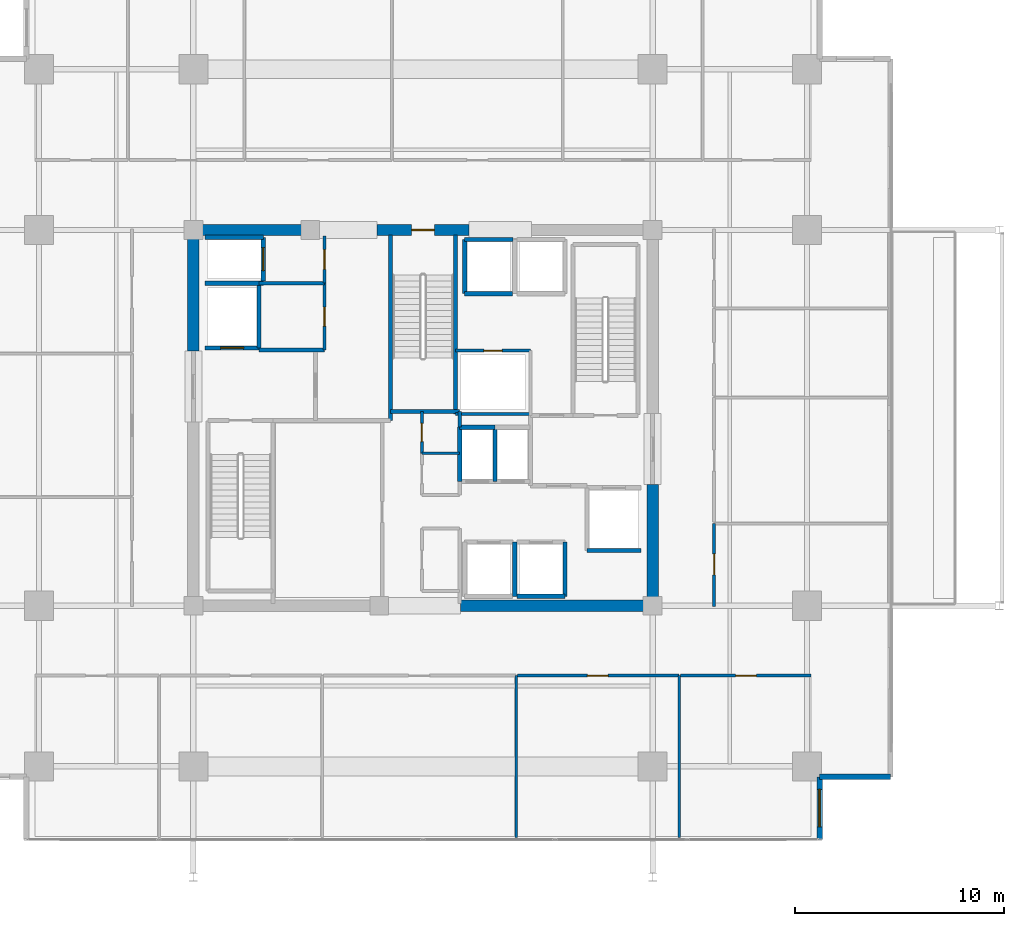
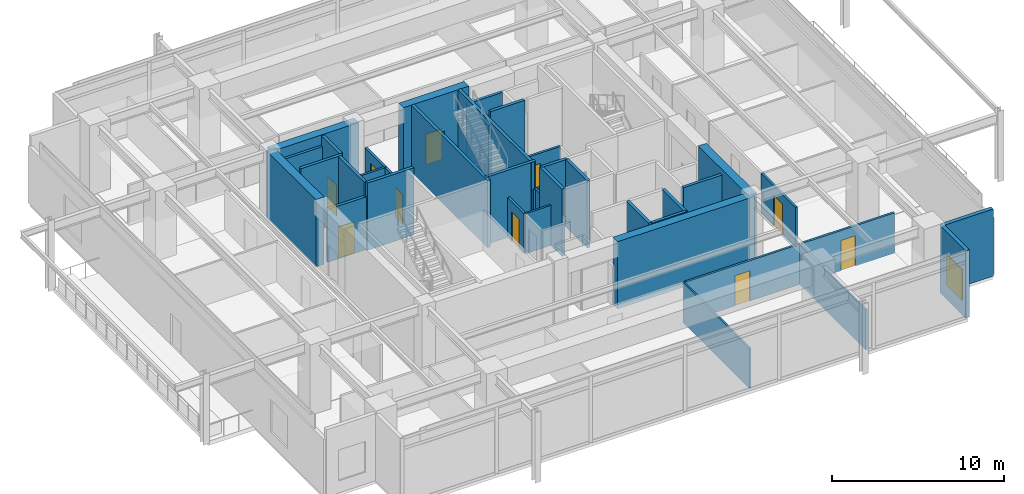
# One storey, part 13 of 19: 39 walls, 10 doors, 1 window, 11 openings.
"""IFC4 building model written with IfcOpenShell, lengths in metres."""

from ifc_helpers import new_model, si_unit, direction, frame, frame_2d, origin, place, context, subcontext, project, spatial, rectangle, extrude, material, layer, layer_set, type_object, element, fill, save


model = new_model("IFC4")

# Units and contexts
model_context = context("Model", 3, precision=1e-05, world=origin(), true_north=direction((0.0, 1.0)))
body_context = subcontext(model_context, "Body", "Model", "MODEL_VIEW")
ifc_project = project(units=[si_unit("LENGTHUNIT", "METRE"), si_unit("AREAUNIT", "SQUARE_METRE"), si_unit("VOLUMEUNIT", "CUBIC_METRE"), si_unit("PLANEANGLEUNIT", "RADIAN"), si_unit("MASSUNIT", "GRAM", prefix="KILO")], contexts=[model_context])

# Site, building, storey
site_placement = place(None, origin())
site = spatial("IfcSite", under=ifc_project, at=site_placement, CompositionType="ELEMENT")
building_placement = place(site_placement, origin())
building = spatial("IfcBuilding", under=site, at=building_placement, Name="Kovane Verandah Tower", CompositionType="ELEMENT")
storey_placement = place(building_placement, frame((0.0, 0.0, 200.199951171875)))
storey = spatial("IfcBuildingStorey", under=building, at=storey_placement, Name="L46", CompositionType="ELEMENT", Elevation=200.199951171875)

# Wall
ifc_material_1 = material(Name="Fire-Rated Gypsum Stud Partition", Category="gypsum")
ifc_layer_1 = layer(ifc_material_1, 0.14990234375)
ifc_layer_set_1 = layer_set([ifc_layer_1], Name="Fire-Rated Gypsum Stud Partition")
wall_type_1 = type_object("IfcWallType", Name="WL-COR-150", PredefinedType="PARTITIONING", material=ifc_layer_set_1)
wall_1_placement = place(storey_placement, frame((41.760009765625, 27.050048828125, 0.0), z_axis=(0.0, 0.0, 1.0), x_axis=(0.0, 1.0, 0.0)))
element("IfcWall", 1, at=wall_1_placement, inside=storey, type_object=wall_type_1, Name="L46 Central Core Strip Upper East Wall", PredefinedType="PARTITIONING", context=body_context, shape_type="SweptSolid", body=[
    extrude(rectangle(XDim=0.75, YDim=0.14990234375, at=frame_2d((0.375, 0.0))), origin(), (0.0, 0.0, 1.0), 2.85009765625),
])

# Wall, opening, door
wall_2_placement = place(storey_placement, frame((39.949951171875, 25.800048828125, 0.0), z_axis=(0.0, 0.0, 1.0), x_axis=(0.0, 1.0, 0.0)))
wall_2 = element("IfcWall", 2, at=wall_2_placement, inside=storey, type_object=wall_type_1, Name="L46 Telecom and BMS Riser Room Partition", PredefinedType="PARTITIONING", context=body_context, shape_type="SweptSolid", body=[
    extrude(rectangle(XDim=2.0, YDim=0.14990234375, at=frame_2d((1.0, 0.0))), origin(), (0.0, 0.0, 1.0), 2.85009765625),
])
opening_1_placement = place(wall_2_placement, frame((0.56005859375, 0.0, 0.0)))
opening_1 = element("IfcOpeningElement", 3, at=opening_1_placement, cuts=wall_2, Name="Opening DR-L46-029", PredefinedType="OPENING", context=body_context, shape_type="SweptSolid", body=[
    extrude(rectangle(XDim=0.8798828125, YDim=2.10009765625, at=frame_2d((0.43994140625, 1.050048828125))), frame((0.0, 0.074951171875, 0.0), z_axis=(0.0, -1.0, 0.0), x_axis=(1.0, 0.0, 0.0)), (0.0, 0.0, 1.0), 0.14990234375),
])
ifc_material_2 = material(Name="Fire-Rated Steel Riser Access Door", Category="steel")
door_type_1 = type_object("IfcDoorType", Name="DR-RISER-880", OperationType="SINGLE_SWING_LEFT", PredefinedType="DOOR", material=ifc_material_2)
door_1_placement = place(opening_1_placement, origin())
door_1 = element("IfcDoor", 4, at=door_1_placement, inside=storey, type_object=door_type_1, Name="L46 Telecom and BMS Riser Room Door", OperationType="SINGLE_SWING_LEFT", OverallHeight=2.10009765625, OverallWidth=0.8798828125, PredefinedType="DOOR", context=body_context, shape_type="SweptSolid", body=[
    extrude(rectangle(XDim=0.8798828125, YDim=2.10009765625, at=frame_2d((0.43994140625, 1.050048828125))), frame((0.0, 0.02490234375, 0.0), z_axis=(0.0, -1.0, 0.0), x_axis=(1.0, 0.0, 0.0)), (0.0, 0.0, 1.0), 0.050048828125),
])
fill(opening_1, door_1)

# Wall
wall_3_placement = place(storey_placement, frame((32.14990234375, 33.949951171875, 0.0), z_axis=(0.0, 0.0, 1.0), x_axis=(1.0, 0.0, 0.0)))
element("IfcWall", 5, at=wall_3_placement, inside=storey, type_object=wall_type_1, Name="L46 Goods Lift Lobby South Wall", PredefinedType="PARTITIONING", context=body_context, shape_type="SweptSolid", body=[
    extrude(rectangle(XDim=3.130126953125, YDim=0.14990234375, at=frame_2d((1.56494140625, 0.0))), origin(), (0.0, 0.0, 1.0), 2.85009765625),
])

# Wall, opening, door
wall_4_placement = place(storey_placement, frame((35.280029296875, 33.949951171875, 0.0), z_axis=(0.0, 0.0, 1.0), x_axis=(0.0, 1.0, 0.0)))
wall_4 = element("IfcWall", 6, at=wall_4_placement, inside=storey, type_object=wall_type_1, Name="L46 Goods Lift Lobby East Fire Partition", PredefinedType="PARTITIONING", context=body_context, shape_type="SweptSolid", body=[
    extrude(rectangle(XDim=2.27001953125, YDim=0.14990234375, at=frame_2d((1.135009765625, 0.0))), origin(), (0.0, 0.0, 1.0), 2.85009765625),
])
opening_2_placement = place(wall_4_placement, frame((0.659912109375, 0.0, 0.0)))
opening_2 = element("IfcOpeningElement", 7, at=opening_2_placement, cuts=wall_4, Name="Opening DR-L46-008", PredefinedType="OPENING", context=body_context, shape_type="SweptSolid", body=[
    extrude(rectangle(XDim=0.949951171875, YDim=2.14990234375, at=frame_2d((0.47509765625, 1.074951171875))), frame((0.0, 0.074951171875, 0.0), z_axis=(0.0, -1.0, 0.0), x_axis=(1.0, 0.0, 0.0)), (0.0, 0.0, 1.0), 0.14990234375),
])
ifc_material_3 = material(Name="Fire-Rated Steel Refuge and Lobby Door", Category="steel")
door_type_2 = type_object("IfcDoorType", Name="DR-FIRE-950", OperationType="SINGLE_SWING_LEFT", PredefinedType="DOOR", material=ifc_material_3)
door_2_placement = place(opening_2_placement, origin())
door_2 = element("IfcDoor", 8, at=door_2_placement, inside=storey, type_object=door_type_2, Name="L46 Goods Lift Lobby Fire Door", OperationType="SINGLE_SWING_RIGHT", OverallHeight=2.14990234375, OverallWidth=0.949951171875, PredefinedType="DOOR", context=body_context, shape_type="SweptSolid", body=[
    extrude(rectangle(XDim=0.949951171875, YDim=2.14990234375, at=frame_2d((0.47509765625, 1.074951171875))), frame((0.0, 0.02490234375, 0.0), z_axis=(0.0, -1.0, 0.0), x_axis=(1.0, 0.0, 0.0)), (0.0, 0.0, 1.0), 0.050048828125),
])
fill(opening_2, door_2)

wall_5_placement = place(storey_placement, frame((35.280029296875, 30.75, 0.0), z_axis=(0.0, 0.0, 1.0), x_axis=(0.0, 1.0, 0.0)))
wall_5 = element("IfcWall", 9, at=wall_5_placement, inside=storey, type_object=wall_type_1, Name="L46 Accessible Unisex Toilet Partition", PredefinedType="PARTITIONING", context=body_context, shape_type="SweptSolid", body=[
    extrude(rectangle(XDim=3.199951171875, YDim=0.14990234375, at=frame_2d((1.60009765625, 0.0))), origin(), (0.0, 0.0, 1.0), 2.85009765625),
])
opening_3_placement = place(wall_5_placement, frame((1.14990234375, 0.0, 0.0)))
opening_3 = element("IfcOpeningElement", 10, at=opening_3_placement, cuts=wall_5, Name="Opening DR-L46-030", PredefinedType="OPENING", context=body_context, shape_type="SweptSolid", body=[
    extrude(rectangle(XDim=0.89990234375, YDim=2.10009765625, at=frame_2d((0.449951171875, 1.050048828125))), frame((0.0, 0.074951171875, 0.0), z_axis=(0.0, -1.0, 0.0), x_axis=(1.0, 0.0, 0.0)), (0.0, 0.0, 1.0), 0.14990234375),
])
ifc_material_4 = material(Name="Moisture-Resistant Laminate Washroom Door", Category="wood")
door_type_3 = type_object("IfcDoorType", Name="DR-WC-900", OperationType="SINGLE_SWING_LEFT", PredefinedType="DOOR", material=ifc_material_4)
door_3_placement = place(opening_3_placement, origin())
door_3 = element("IfcDoor", 11, at=door_3_placement, inside=storey, type_object=door_type_3, Name="L46 Accessible Unisex Toilet Door", OperationType="SINGLE_SWING_LEFT", OverallHeight=2.10009765625, OverallWidth=0.89990234375, PredefinedType="DOOR", context=body_context, shape_type="SweptSolid", body=[
    extrude(rectangle(XDim=0.89990234375, YDim=2.10009765625, at=frame_2d((0.449951171875, 1.050048828125))), frame((0.0, 0.02490234375, 0.0), z_axis=(0.0, -1.0, 0.0), x_axis=(1.0, 0.0, 0.0)), (0.0, 0.0, 1.0), 0.050048828125),
])
fill(opening_3, door_3)

# Wall
wall_6_placement = place(storey_placement, frame((41.56005859375, 27.679931640625, 0.0), z_axis=(0.0, 0.0, 1.0), x_axis=(1.0, 0.0, 0.0)))
element("IfcWall", 12, at=wall_6_placement, inside=storey, type_object=wall_type_1, Name="L46 East Core Service Riser South Wall", PredefinedType="PARTITIONING", context=body_context, shape_type="SweptSolid", body=[
    extrude(rectangle(XDim=3.58984375, YDim=0.14990234375, at=frame_2d((1.794921875, 0.0))), origin(), (0.0, 0.0, 1.0), 2.85009765625),
])

# Wall, opening, door
wall_7_placement = place(storey_placement, frame((41.56005859375, 30.719970703125, 0.0), z_axis=(0.0, 0.0, 1.0), x_axis=(1.0, 0.0, 0.0)))
wall_7 = element("IfcWall", 13, at=wall_7_placement, inside=storey, type_object=wall_type_1, Name="L46 Combined Chilled Water and Smoke Duct Room Partition", PredefinedType="PARTITIONING", context=body_context, shape_type="SweptSolid", body=[
    extrude(rectangle(XDim=3.58984375, YDim=0.14990234375, at=frame_2d((1.794921875, 0.0))), origin(), (0.0, 0.0, 1.0), 2.85009765625),
])
opening_4_placement = place(wall_7_placement, frame((1.35498046875, 0.0, 0.0)))
opening_4 = element("IfcOpeningElement", 14, at=opening_4_placement, cuts=wall_7, Name="Opening DR-L46-017", PredefinedType="OPENING", context=body_context, shape_type="SweptSolid", body=[
    extrude(rectangle(XDim=0.8798828125, YDim=2.10009765625, at=frame_2d((0.43994140625, 1.050048828125))), frame((0.0, 0.074951171875, 0.0), z_axis=(0.0, -1.0, 0.0), x_axis=(1.0, 0.0, 0.0)), (0.0, 0.0, 1.0), 0.14990234375),
])
door_4_placement = place(opening_4_placement, origin())
door_4 = element("IfcDoor", 15, at=door_4_placement, inside=storey, type_object=door_type_1, Name="L46 Combined Chilled Water and Smoke Duct Room Door", OperationType="SINGLE_SWING_LEFT", OverallHeight=2.10009765625, OverallWidth=0.8798828125, PredefinedType="DOOR", context=body_context, shape_type="SweptSolid", body=[
    extrude(rectangle(XDim=0.8798828125, YDim=2.10009765625, at=frame_2d((0.43994140625, 1.050048828125))), frame((0.0, 0.02490234375, 0.0), z_axis=(0.0, -1.0, 0.0), x_axis=(1.0, 0.0, 0.0)), (0.0, 0.0, 1.0), 0.050048828125),
])
fill(opening_4, door_4)

wall_8_placement = place(storey_placement, frame((44.533935546875, 15.14990234375, 0.0), z_axis=(0.0, 0.0, 1.0), x_axis=(1.0, 0.0, 0.0)))
wall_8 = element("IfcWall", 16, at=wall_8_placement, inside=storey, type_object=wall_type_1, Name="L46 Collaboration Hub S4 Corridor Partition", PredefinedType="PARTITIONING", context=body_context, shape_type="SweptSolid", body=[
    extrude(rectangle(XDim=7.741943359375, YDim=0.14990234375, at=frame_2d((3.87109375, 0.0))), origin(), (0.0, 0.0, 1.0), 2.85009765625),
])
opening_5_placement = place(wall_8_placement, frame((3.3359375, 0.0, 0.0)))
opening_5 = element("IfcOpeningElement", 17, at=opening_5_placement, cuts=wall_8, Name="Opening DR-L46-027", PredefinedType="OPENING", context=body_context, shape_type="SweptSolid", body=[
    extrude(rectangle(XDim=1.0, YDim=2.14990234375, at=frame_2d((0.5, 1.074951171875))), frame((0.0, 0.074951171875, 0.0), z_axis=(0.0, -1.0, 0.0), x_axis=(1.0, 0.0, 0.0)), (0.0, 0.0, 1.0), 0.14990234375),
])
ifc_material_5 = material(Name="FSC Spotted-Gum Timber Fire-Rated Office Door", Category="wood")
door_type_4 = type_object("IfcDoorType", Name="DR-OFF-1000", OperationType="SINGLE_SWING_LEFT", PredefinedType="DOOR", material=ifc_material_5)
door_5_placement = place(opening_5_placement, origin())
door_5 = element("IfcDoor", 18, at=door_5_placement, inside=storey, type_object=door_type_4, Name="L46 Collaboration Hub S4 Entrance Door", OperationType="SINGLE_SWING_LEFT", OverallHeight=2.14990234375, OverallWidth=1.0, PredefinedType="DOOR", context=body_context, shape_type="SweptSolid", body=[
    extrude(rectangle(XDim=1.0, YDim=2.14990234375, at=frame_2d((0.5, 1.074951171875))), frame((0.0, 0.02490234375, 0.0), z_axis=(0.0, -1.0, 0.0), x_axis=(1.0, 0.0, 0.0)), (0.0, 0.0, 1.0), 0.050048828125),
])
fill(opening_5, door_5)

wall_9_placement = place(storey_placement, frame((52.345947265625, 15.14990234375, 0.0), z_axis=(0.0, 0.0, 1.0), x_axis=(1.0, 0.0, 0.0)))
wall_9 = element("IfcWall", 19, at=wall_9_placement, inside=storey, type_object=wall_type_1, Name="L46 Document and Print Room S5 Corridor Partition", PredefinedType="PARTITIONING", context=body_context, shape_type="SweptSolid", body=[
    extrude(rectangle(XDim=6.254150390625, YDim=0.14990234375, at=frame_2d((3.126953125, 0.0))), origin(), (0.0, 0.0, 1.0), 2.85009765625),
])
opening_6_placement = place(wall_9_placement, frame((2.626953125, 0.0, 0.0)))
opening_6 = element("IfcOpeningElement", 20, at=opening_6_placement, cuts=wall_9, Name="Opening DR-L46-028", PredefinedType="OPENING", context=body_context, shape_type="SweptSolid", body=[
    extrude(rectangle(XDim=1.0, YDim=2.14990234375, at=frame_2d((0.5, 1.074951171875))), frame((0.0, 0.074951171875, 0.0), z_axis=(0.0, -1.0, 0.0), x_axis=(1.0, 0.0, 0.0)), (0.0, 0.0, 1.0), 0.14990234375),
])
door_6_placement = place(opening_6_placement, origin())
door_6 = element("IfcDoor", 21, at=door_6_placement, inside=storey, type_object=door_type_4, Name="L46 Document and Print Room S5 Entrance Door", OperationType="SINGLE_SWING_RIGHT", OverallHeight=2.14990234375, OverallWidth=1.0, PredefinedType="DOOR", context=body_context, shape_type="SweptSolid", body=[
    extrude(rectangle(XDim=1.0, YDim=2.14990234375, at=frame_2d((0.5, 1.074951171875))), frame((0.0, 0.02490234375, 0.0), z_axis=(0.0, -1.0, 0.0), x_axis=(1.0, 0.0, 0.0)), (0.0, 0.0, 1.0), 0.050048828125),
])
fill(opening_6, door_6)

wall_10_placement = place(storey_placement, frame((53.949951171875, 18.449951171875, 0.0), z_axis=(0.0, 0.0, 1.0), x_axis=(0.0, 1.0, 0.0)))
wall_10 = element("IfcWall", 22, at=wall_10_placement, inside=storey, type_object=wall_type_1, Name="L46 Meeting Room E1 Corridor Partition", PredefinedType="PARTITIONING", context=body_context, shape_type="SweptSolid", body=[
    extrude(rectangle(XDim=3.98193359375, YDim=0.14990234375, at=frame_2d((1.990966796875, 0.0))), origin(), (0.0, 0.0, 1.0), 2.85009765625),
])
opening_7_placement = place(wall_10_placement, frame((1.531005859375, 0.0, 0.0)))
opening_7 = element("IfcOpeningElement", 23, at=opening_7_placement, cuts=wall_10, Name="Opening DR-L46-012", PredefinedType="OPENING", context=body_context, shape_type="SweptSolid", body=[
    extrude(rectangle(XDim=1.0, YDim=2.14990234375, at=frame_2d((0.5, 1.074951171875))), frame((0.0, 0.074951171875, 0.0), z_axis=(0.0, -1.0, 0.0), x_axis=(1.0, 0.0, 0.0)), (0.0, 0.0, 1.0), 0.14990234375),
])
door_7_placement = place(opening_7_placement, origin())
door_7 = element("IfcDoor", 24, at=door_7_placement, inside=storey, type_object=door_type_4, Name="L46 Meeting Room E1 Entrance Door", OperationType="SINGLE_SWING_RIGHT", OverallHeight=2.14990234375, OverallWidth=1.0, PredefinedType="DOOR", context=body_context, shape_type="SweptSolid", body=[
    extrude(rectangle(XDim=1.0, YDim=2.14990234375, at=frame_2d((0.5, 1.074951171875))), frame((0.0, 0.02490234375, 0.0), z_axis=(0.0, -1.0, 0.0), x_axis=(1.0, 0.0, 0.0)), (0.0, 0.0, 1.0), 0.050048828125),
])
fill(opening_7, door_7)

# Walls
ifc_material_6 = material(Name="Concrete C60/75", Category="concrete")
ifc_layer_2 = layer(ifc_material_6, 0.550048828125)
ifc_layer_set_2 = layer_set([ifc_layer_2], Name="Concrete C60/75")
wall_type_2 = type_object("IfcWallType", Name="WL-CORE-550", PredefinedType="SHEAR", material=ifc_layer_set_2)
wall_11_placement = place(storey_placement, frame((41.800048828125, 18.5, 0.0), z_axis=(0.0, 0.0, 1.0), x_axis=(1.0, 0.0, 0.0)))
element("IfcWall", 25, at=wall_11_placement, inside=storey, type_object=wall_type_2, Name="L46 Core Shear Wall CS-2", PredefinedType="SHEAR", context=body_context, shape_type="SweptSolid", body=[
    extrude(rectangle(XDim=9.199951171875, YDim=0.550048828125, at=frame_2d((4.60009765625, 0.0))), origin(), (0.0, 0.0, 1.0), 4.775146484375),
])
wall_12_placement = place(storey_placement, frame((29.0, 36.5, 0.0), z_axis=(0.0, 0.0, 1.0), x_axis=(1.0, 0.0, 0.0)))
element("IfcWall", 26, at=wall_12_placement, inside=storey, type_object=wall_type_2, Name="L46 Core Shear Wall CN-1", PredefinedType="SHEAR", context=body_context, shape_type="SweptSolid", body=[
    extrude(rectangle(XDim=5.800048828125, YDim=0.550048828125, at=frame_2d((2.89990234375, 0.0))), origin(), (0.0, 0.0, 1.0), 4.775146484375),
])

# Wall, opening, door
wall_13_placement = place(storey_placement, frame((37.800048828125, 36.5, 0.0), z_axis=(0.0, 0.0, 1.0), x_axis=(1.0, 0.0, 0.0)))
wall_13 = element("IfcWall", 27, at=wall_13_placement, inside=storey, type_object=wall_type_2, Name="L46 Core Shear Wall CN-2", PredefinedType="SHEAR", context=body_context, shape_type="SweptSolid", body=[
    extrude(rectangle(XDim=4.39990234375, YDim=0.550048828125, at=frame_2d((2.199951171875, 0.0))), origin(), (0.0, 0.0, 1.0), 4.775146484375),
])
opening_8_placement = place(wall_13_placement, frame((1.64990234375, 0.0, 0.0)))
opening_8 = element("IfcOpeningElement", 28, at=opening_8_placement, cuts=wall_13, Name="Opening DR-L46-011", PredefinedType="OPENING", context=body_context, shape_type="SweptSolid", body=[
    extrude(rectangle(XDim=1.10009765625, YDim=2.14990234375, at=frame_2d((0.550048828125, 1.074951171875))), frame((0.0, 0.27490234375, 0.0), z_axis=(0.0, -1.0, 0.0), x_axis=(1.0, 0.0, 0.0)), (0.0, 0.0, 1.0), 0.550048828125),
])
ifc_material_7 = material(Name="Fire-Rated Steel Exit Door", Category="steel")
door_type_5 = type_object("IfcDoorType", Name="DR-STAIR-1100", OperationType="SINGLE_SWING_LEFT", PredefinedType="DOOR", material=ifc_material_7)
door_8_placement = place(opening_8_placement, origin())
door_8 = element("IfcDoor", 29, at=door_8_placement, inside=storey, type_object=door_type_5, Name="L46 ST-03 Fire Exit Stair Door", OperationType="SINGLE_SWING_RIGHT", OverallHeight=2.14990234375, OverallWidth=1.10009765625, PredefinedType="DOOR", context=body_context, shape_type="SweptSolid", body=[
    extrude(rectangle(XDim=1.10009765625, YDim=2.14990234375, at=frame_2d((0.550048828125, 1.074951171875))), frame((0.0, 0.02490234375, 0.0), z_axis=(0.0, -1.0, 0.0), x_axis=(1.0, 0.0, 0.0)), (0.0, 0.0, 1.0), 0.050048828125),
])
fill(opening_8, door_8)

# Walls
for number, where, z_axis, x_axis, name in (
    (30, (29.0, 30.699951171875, 0.0), (0.0, 0.0, 1.0), (0.0, 1.0, 0.0), "L46 Core Shear Wall CW-2"),
    (31, (51.0, 18.5, 0.0), (0.0, 0.0, 1.0), (0.0, 1.0, 0.0), "L46 Core Shear Wall CE-1"),
):
    element("IfcWall", number, at=place(storey_placement, frame(where, z_axis=z_axis, x_axis=x_axis)), inside=storey, type_object=wall_type_2, Name=name, PredefinedType="SHEAR", context=body_context, shape_type="SweptSolid", body=[
        extrude(rectangle(XDim=5.800048828125, YDim=0.550048828125, at=frame_2d((2.89990234375, 0.0))), origin(), (0.0, 0.0, 1.0), 4.775146484375),
    ])
ifc_material_8 = material(Name="Concrete C45/55 Fire Wall", Category="concrete")
ifc_layer_3 = layer(ifc_material_8, 0.199951171875)
ifc_layer_set_3 = layer_set([ifc_layer_3], Name="Concrete C45/55 Fire Wall")
wall_type_3 = type_object("IfcWallType", Name="WL-FFL-200", PredefinedType="PARTITIONING", material=ifc_layer_set_3)
wall_14_placement = place(storey_placement, frame((32.14990234375, 30.75, 0.0), z_axis=(0.0, 0.0, 1.0), x_axis=(1.0, 0.0, 0.0)))
element("IfcWall", 32, at=wall_14_placement, inside=storey, type_object=wall_type_3, Name="L46 West Firefighting Lobby North Fire Wall", PredefinedType="PARTITIONING", context=body_context, shape_type="SweptSolid", body=[
    extrude(rectangle(XDim=3.130126953125, YDim=0.199951171875, at=frame_2d((1.56494140625, 0.0))), origin(), (0.0, 0.0, 1.0), 4.775146484375),
])

# Wall, opening, door
ifc_material_9 = material(Name="Concrete C45/55 Lift Shaft Wall", Category="concrete")
ifc_layer_4 = layer(ifc_material_9, 0.199951171875)
ifc_layer_set_4 = layer_set([ifc_layer_4], Name="Concrete C45/55 Lift Shaft Wall")
wall_type_4 = type_object("IfcWallType", Name="WL-LIFT-200", PredefinedType="SOLIDWALL", material=ifc_layer_set_4)
wall_15_placement = place(storey_placement, frame((29.550048828125, 30.85009765625, 0.0), z_axis=(0.0, 0.0, 1.0), x_axis=(1.0, 0.0, 0.0)))
wall_15 = element("IfcWall", 33, at=wall_15_placement, inside=storey, type_object=wall_type_4, Name="L46 Lift FL-01 S Shaft Wall", PredefinedType="SOLIDWALL", context=body_context, shape_type="SweptSolid", body=[
    extrude(rectangle(XDim=2.599853515625, YDim=0.199951171875, at=frame_2d((1.2998046875, 0.0))), origin(), (0.0, 0.0, 1.0), 3.755126953125),
])
opening_9_placement = place(wall_15_placement, frame((0.75, 0.0, 0.0)))
opening_9 = element("IfcOpeningElement", 34, at=opening_9_placement, cuts=wall_15, Name="Opening LD-L46-001", PredefinedType="OPENING", context=body_context, shape_type="SweptSolid", body=[
    extrude(rectangle(XDim=1.10009765625, YDim=2.199951171875, at=frame_2d((0.550048828125, 1.10009765625))), frame((0.0, 0.10009765625, 0.0), z_axis=(0.0, -1.0, 0.0), x_axis=(1.0, 0.0, 0.0)), (0.0, 0.0, 1.0), 0.199951171875),
])
ifc_material_10 = material(Name="Brushed Stainless Steel Sliding Lift Landing Door", Category="steel")
door_type_6 = type_object("IfcDoorType", Name="DR-LIFT-1100", OperationType="SLIDING_TO_RIGHT", PredefinedType="DOOR", material=ifc_material_10)
door_9_placement = place(opening_9_placement, origin())
door_9 = element("IfcDoor", 35, at=door_9_placement, inside=storey, type_object=door_type_6, Name="L46 Lift FL-01 Sliding Landing Door", OperationType="SLIDING_TO_RIGHT", OverallHeight=2.199951171875, OverallWidth=1.10009765625, PredefinedType="DOOR", context=body_context, shape_type="SweptSolid", body=[
    extrude(rectangle(XDim=1.10009765625, YDim=2.199951171875, at=frame_2d((0.550048828125, 1.10009765625))), frame((0.0, 0.02490234375, 0.0), z_axis=(0.0, -1.0, 0.0), x_axis=(1.0, 0.0, 0.0)), (0.0, 0.0, 1.0), 0.050048828125),
])
fill(opening_9, door_9)

# Walls
wall_16_placement = place(storey_placement, frame((29.550048828125, 33.949951171875, 0.0), z_axis=(0.0, 0.0, 1.0), x_axis=(1.0, 0.0, 0.0)))
element("IfcWall", 36, at=wall_16_placement, inside=storey, type_object=wall_type_4, Name="L46 Lift FL-01 and GL-01 Shared Shaft Wall", PredefinedType="SOLIDWALL", context=body_context, shape_type="SweptSolid", body=[
    extrude(rectangle(XDim=2.800048828125, YDim=0.199951171875, at=frame_2d((1.39990234375, 0.0))), origin(), (0.0, 0.0, 1.0), 4.775146484375),
])
wall_17_placement = place(storey_placement, frame((32.14990234375, 30.85009765625, 0.0), z_axis=(0.0, 0.0, 1.0), x_axis=(0.0, 1.0, 0.0)))
element("IfcWall", 37, at=wall_17_placement, inside=storey, type_object=wall_type_4, Name="L46 Lift FL-01 E Shaft Wall", PredefinedType="SOLIDWALL", context=body_context, shape_type="SweptSolid", body=[
    extrude(rectangle(XDim=3.0, YDim=0.199951171875, at=frame_2d((1.5, 0.0))), origin(), (0.0, 0.0, 1.0), 4.775146484375),
])
wall_18_placement = place(storey_placement, frame((47.85009765625, 21.14990234375, 0.0), z_axis=(0.0, 0.0, 1.0), x_axis=(1.0, 0.0, 0.0)))
element("IfcWall", 38, at=wall_18_placement, inside=storey, type_object=wall_type_4, Name="L46 Lift FL-02 S Shaft Wall", PredefinedType="SOLIDWALL", context=body_context, shape_type="SweptSolid", body=[
    extrude(rectangle(XDim=2.599853515625, YDim=0.199951171875, at=frame_2d((1.2998046875, 0.0))), origin(), (0.0, 0.0, 1.0), 4.775146484375),
])
wall_19_placement = place(storey_placement, frame((32.35009765625, 36.14990234375, 0.0), z_axis=(0.0, 0.0, 1.0), x_axis=(-1.0, 0.0, 0.0)))
element("IfcWall", 39, at=wall_19_placement, inside=storey, type_object=wall_type_4, Name="L46 Lift GL-01 N Shaft Wall", PredefinedType="SOLIDWALL", context=body_context, shape_type="SweptSolid", body=[
    extrude(rectangle(XDim=2.800048828125, YDim=0.199951171875, at=frame_2d((1.39990234375, 0.0))), origin(), (0.0, 0.0, 1.0), 4.06201171875),
])

# Wall, opening, door
wall_20_placement = place(storey_placement, frame((32.35009765625, 34.050048828125, 0.0), z_axis=(0.0, 0.0, 1.0), x_axis=(0.0, 1.0, 0.0)))
wall_20 = element("IfcWall", 40, at=wall_20_placement, inside=storey, type_object=wall_type_4, Name="L46 Lift GL-01 E Shaft Wall", PredefinedType="SOLIDWALL", context=body_context, shape_type="SweptSolid", body=[
    extrude(rectangle(XDim=2.099853515625, YDim=0.199951171875, at=frame_2d((1.0498046875, 0.0))), origin(), (0.0, 0.0, 1.0), 4.775146484375),
])
opening_10_placement = place(wall_20_placement, frame((0.5, 0.0, 0.0)))
opening_10 = element("IfcOpeningElement", 41, at=opening_10_placement, cuts=wall_20, Name="Opening LD-L46-003", PredefinedType="OPENING", context=body_context, shape_type="SweptSolid", body=[
    extrude(rectangle(XDim=1.10009765625, YDim=2.199951171875, at=frame_2d((0.550048828125, 1.10009765625))), frame((0.0, 0.10009765625, 0.0), z_axis=(0.0, -1.0, 0.0), x_axis=(1.0, 0.0, 0.0)), (0.0, 0.0, 1.0), 0.199951171875),
])
door_10_placement = place(opening_10_placement, origin())
door_10 = element("IfcDoor", 42, at=door_10_placement, inside=storey, type_object=door_type_6, Name="L46 Lift GL-01 Sliding Landing Door", OperationType="SLIDING_TO_RIGHT", OverallHeight=2.199951171875, OverallWidth=1.10009765625, PredefinedType="DOOR", context=body_context, shape_type="SweptSolid", body=[
    extrude(rectangle(XDim=1.10009765625, YDim=2.199951171875, at=frame_2d((0.550048828125, 1.10009765625))), frame((0.0, 0.02490234375, 0.0), z_axis=(0.0, -1.0, 0.0), x_axis=(1.0, 0.0, 0.0)), (0.0, 0.0, 1.0), 0.050048828125),
])
fill(opening_10, door_10)

# Walls
wall_21_placement = place(storey_placement, frame((44.39990234375, 18.949951171875, 0.0), z_axis=(0.0, 0.0, 1.0), x_axis=(0.0, 1.0, 0.0)))
element("IfcWall", 43, at=wall_21_placement, inside=storey, type_object=wall_type_4, Name="L46 Lift PL-M1 and PL-M2 Shared Shaft Wall", PredefinedType="SOLIDWALL", context=body_context, shape_type="SweptSolid", body=[
    extrude(rectangle(XDim=2.60009765625, YDim=0.199951171875, at=frame_2d((1.300048828125, 0.0))), origin(), (0.0, 0.0, 1.0), 4.775146484375),
])
wall_22_placement = place(storey_placement, frame((44.5, 18.949951171875, 0.0), z_axis=(0.0, 0.0, 1.0), x_axis=(1.0, 0.0, 0.0)))
element("IfcWall", 44, at=wall_22_placement, inside=storey, type_object=wall_type_4, Name="L46 Lift PL-M2 S Shaft Wall", PredefinedType="SOLIDWALL", context=body_context, shape_type="SweptSolid", body=[
    extrude(rectangle(XDim=2.300048828125, YDim=0.199951171875, at=frame_2d((1.14990234375, 0.0))), origin(), (0.0, 0.0, 1.0), 4.775146484375),
])
wall_23_placement = place(storey_placement, frame((46.800048828125, 18.949951171875, 0.0), z_axis=(0.0, 0.0, 1.0), x_axis=(0.0, 1.0, 0.0)))
element("IfcWall", 45, at=wall_23_placement, inside=storey, type_object=wall_type_4, Name="L46 Lift PL-M2 E Shaft Wall", PredefinedType="SOLIDWALL", context=body_context, shape_type="SweptSolid", body=[
    extrude(rectangle(XDim=2.60009765625, YDim=0.199951171875, at=frame_2d((1.300048828125, 0.0))), origin(), (0.0, 0.0, 1.0), 4.775146484375),
])
wall_24_placement = place(storey_placement, frame((43.43994140625, 27.050048828125, 0.0), z_axis=(0.0, 0.0, 1.0), x_axis=(-1.0, 0.0, 0.0)))
element("IfcWall", 46, at=wall_24_placement, inside=storey, type_object=wall_type_4, Name="L46 Lift PL-M3 N Shaft Wall", PredefinedType="SOLIDWALL", context=body_context, shape_type="SweptSolid", body=[
    extrude(rectangle(XDim=1.679931640625, YDim=0.199951171875, at=frame_2d((0.83984375, 0.0))), origin(), (0.0, 0.0, 1.0), 4.775146484375),
])
for number, where, z_axis, x_axis, name in (
    (47, (41.760009765625, 27.050048828125, 0.0), (0.0, 0.0, 1.0), (0.0, -1.0, 0.0), "L46 Lift PL-M3 W Shaft Wall"),
    (48, (43.449951171875, 24.449951171875, 0.0), (0.0, 0.0, 1.0), (0.0, 1.0, 0.0), "L46 Lift PL-M3 and PL-M4 Shared Shaft Wall"),
):
    element("IfcWall", number, at=place(storey_placement, frame(where, z_axis=z_axis, x_axis=x_axis)), inside=storey, type_object=wall_type_4, Name=name, PredefinedType="SOLIDWALL", context=body_context, shape_type="SweptSolid", body=[
        extrude(rectangle(XDim=2.60009765625, YDim=0.199951171875, at=frame_2d((1.300048828125, 0.0))), origin(), (0.0, 0.0, 1.0), 4.775146484375),
    ])
wall_25_placement = place(storey_placement, frame((42.0, 33.449951171875, 0.0), z_axis=(0.0, 0.0, 1.0), x_axis=(1.0, 0.0, 0.0)))
element("IfcWall", 49, at=wall_25_placement, inside=storey, type_object=wall_type_4, Name="L46 Lift SL-01 S Shaft Wall", PredefinedType="SOLIDWALL", context=body_context, shape_type="SweptSolid", body=[
    extrude(rectangle(XDim=2.300048828125, YDim=0.199951171875, at=frame_2d((1.14990234375, 0.0))), origin(), (0.0, 0.0, 1.0), 4.775146484375),
])
wall_26_placement = place(storey_placement, frame((44.300048828125, 36.050048828125, 0.0), z_axis=(0.0, 0.0, 1.0), x_axis=(-1.0, 0.0, 0.0)))
element("IfcWall", 50, at=wall_26_placement, inside=storey, type_object=wall_type_4, Name="L46 Lift SL-01 N Shaft Wall", PredefinedType="SOLIDWALL", context=body_context, shape_type="SweptSolid", body=[
    extrude(rectangle(XDim=2.300048828125, YDim=0.199951171875, at=frame_2d((1.14990234375, 0.0))), origin(), (0.0, 0.0, 1.0), 3.755126953125),
])
wall_27_placement = place(storey_placement, frame((42.0, 36.050048828125, 0.0), z_axis=(0.0, 0.0, 1.0), x_axis=(0.0, -1.0, 0.0)))
element("IfcWall", 51, at=wall_27_placement, inside=storey, type_object=wall_type_4, Name="L46 Lift SL-01 W Shaft Wall", PredefinedType="SOLIDWALL", context=body_context, shape_type="SweptSolid", body=[
    extrude(rectangle(XDim=2.60009765625, YDim=0.199951171875, at=frame_2d((1.300048828125, 0.0))), origin(), (0.0, 0.0, 1.0), 3.755126953125),
])
ifc_material_11 = material(Name="Acoustic Fire-Rated Gypsum Partition", Category="gypsum")
ifc_layer_5 = layer(ifc_material_11, 0.1201171875)
ifc_layer_set_5 = layer_set([ifc_layer_5], Name="Acoustic Fire-Rated Gypsum Partition")
wall_type_5 = type_object("IfcWallType", Name="WL-PART-120", PredefinedType="PARTITIONING", material=ifc_layer_set_5)
wall_28_placement = place(storey_placement, frame((39.949951171875, 25.800048828125, 0.0), z_axis=(0.0, 0.0, 1.0), x_axis=(1.0, 0.0, 0.0)))
element("IfcWall", 52, at=wall_28_placement, inside=storey, type_object=wall_type_5, Name="L46 Central Core Strip Upper Dividing Partition", PredefinedType="PARTITIONING", context=body_context, shape_type="SweptSolid", body=[
    extrude(rectangle(XDim=1.81005859375, YDim=0.1201171875, at=frame_2d((0.905029296875, 0.0))), origin(), (0.0, 0.0, 1.0), 2.85009765625),
])
for number, where, z_axis, x_axis, name in (
    (53, (44.464111328125, 7.39990234375, 0.0), (0.0, 0.0, 1.0), (0.0, 1.0, 0.0), "L46 Breakout Pantry S3 Dividing Partition"),
    (54, (52.27587890625, 7.39990234375, 0.0), (0.0, 0.0, 1.0), (0.0, 1.0, 0.0), "L46 Collaboration Hub S4 Dividing Partition"),
):
    element("IfcWall", number, at=place(storey_placement, frame(where, z_axis=z_axis, x_axis=x_axis)), inside=storey, type_object=wall_type_5, Name=name, PredefinedType="PARTITIONING", context=body_context, shape_type="SweptSolid", body=[
        extrude(rectangle(XDim=7.75, YDim=0.1201171875, at=frame_2d((3.875, 0.0))), origin(), (0.0, 0.0, 1.0), 2.85009765625),
    ])
ifc_material_12 = material(Name="Concrete C45/55", Category="concrete")
ifc_layer_6 = layer(ifc_material_12, 0.199951171875)
ifc_layer_set_6 = layer_set([ifc_layer_6], Name="Concrete C45/55")
wall_type_6 = type_object("IfcWallType", Name="WL-SHAFT-200", PredefinedType="SOLIDWALL", material=ifc_layer_set_6)
wall_29_placement = place(storey_placement, frame((38.43994140625, 27.3798828125, 0.0), z_axis=(0.0, 0.0, 1.0), x_axis=(0.0, 1.0, 0.0)))
element("IfcWall", 55, at=wall_29_placement, inside=storey, type_object=wall_type_6, Name="W-L46-ST03-W", PredefinedType="SOLIDWALL", context=body_context, shape_type="SweptSolid", body=[
    extrude(rectangle(XDim=8.8701171875, YDim=0.199951171875, at=frame_2d((4.43505859375, 0.0))), origin(), (0.0, 0.0, 1.0), 4.775146484375),
])
wall_30_placement = place(storey_placement, frame((41.56005859375, 27.679931640625, 0.0), z_axis=(0.0, 0.0, 1.0), x_axis=(0.0, 1.0, 0.0)))
element("IfcWall", 56, at=wall_30_placement, inside=storey, type_object=wall_type_6, Name="W-L46-ST03-E", PredefinedType="SOLIDWALL", context=body_context, shape_type="SweptSolid", body=[
    extrude(rectangle(XDim=8.570068359375, YDim=0.199951171875, at=frame_2d((4.28515625, 0.0))), origin(), (0.0, 0.0, 1.0), 4.775146484375),
])
wall_31_placement = place(storey_placement, frame((38.43994140625, 27.800048828125, 0.0), z_axis=(0.0, 0.0, 1.0), x_axis=(1.0, 0.0, 0.0)))
element("IfcWall", 57, at=wall_31_placement, inside=storey, type_object=wall_type_6, Name="W-L46-ST03-S", PredefinedType="SOLIDWALL", context=body_context, shape_type="SweptSolid", body=[
    extrude(rectangle(XDim=3.320068359375, YDim=0.199951171875, at=frame_2d((1.66015625, 0.0))), origin(), (0.0, 0.0, 1.0), 4.775146484375),
])

# Wall, opening, window
ifc_material_13 = material(Name="Concrete C45/55 Insulated Spandrel Wall", Category="concrete")
ifc_layer_7 = layer(ifc_material_13, 0.260009765625)
ifc_layer_set_7 = layer_set([ifc_layer_7], Name="Concrete C45/55 Insulated Spandrel Wall")
wall_type_7 = type_object("IfcWallType", Name="WL-SPANDREL-260", PredefinedType="PARAPET", material=ifc_layer_set_7)
wall_32_placement = place(storey_placement, frame((59.0, 7.300048828125, 0.0), z_axis=(0.0, 0.0, 1.0), x_axis=(0.0, 1.0, 0.0)))
wall_32 = element("IfcWall", 58, at=wall_32_placement, inside=storey, type_object=wall_type_7, Name="L46 SE Notch Cheek Wall 1", PredefinedType="PARAPET", context=body_context, shape_type="SweptSolid", body=[
    extrude(rectangle(XDim=3.0, YDim=0.260009765625, at=frame_2d((1.5, 0.0))), origin(), (0.0, 0.0, 1.0), 4.775146484375),
])
opening_11_placement = place(wall_32_placement, frame((0.60009765625, 0.0, 0.85009765625)))
opening_11 = element("IfcOpeningElement", 59, at=opening_11_placement, cuts=wall_32, Name="Opening W-03", PredefinedType="OPENING", context=body_context, shape_type="SweptSolid", body=[
    extrude(rectangle(XDim=1.800048828125, YDim=2.199951171875, at=frame_2d((0.89990234375, 1.10009765625))), frame((0.0, 0.1298828125, 0.0), z_axis=(0.0, -1.0, 0.0), x_axis=(1.0, 0.0, 0.0)), (0.0, 0.0, 1.0), 0.260009765625),
])
ifc_material_14 = material(Name="Clear Low-E Laminated Double Glazing in Anodised Frame", Category="glass")
window_type = type_object("IfcWindowType", Name="WN-NOTCH-1800x2200", PartitioningType="SINGLE_PANEL", PredefinedType="WINDOW", material=ifc_material_14)
window_placement = place(opening_11_placement, origin())
window = element("IfcWindow", 60, at=window_placement, inside=storey, type_object=window_type, Name="L46 SE Re-Entrant Corner Operable Window", OverallHeight=2.199951171875, OverallWidth=1.800048828125, PartitioningType="SINGLE_PANEL", PredefinedType="WINDOW", context=body_context, shape_type="SweptSolid", body=[
    extrude(rectangle(XDim=1.800048828125, YDim=2.199951171875, at=frame_2d((0.89990234375, 1.10009765625))), frame((0.0, 0.030029296875, 0.0), z_axis=(0.0, -1.0, 0.0), x_axis=(1.0, 0.0, 0.0)), (0.0, 0.0, 1.0), 0.06005859375),
])
fill(opening_11, window)

# Wall
wall_33_placement = place(storey_placement, frame((59.0, 10.300048828125, 0.0), z_axis=(0.0, 0.0, 1.0), x_axis=(1.0, 0.0, 0.0)))
element("IfcWall", 61, at=wall_33_placement, inside=storey, type_object=wall_type_7, Name="L46 SE Notch Cheek Wall 2", PredefinedType="PARAPET", context=body_context, shape_type="SweptSolid", body=[
    extrude(rectangle(XDim=3.39990234375, YDim=0.260009765625, at=frame_2d((1.699951171875, 0.0))), origin(), (0.0, 0.0, 1.0), 4.775146484375),
])

save(model, "model.ifc")
